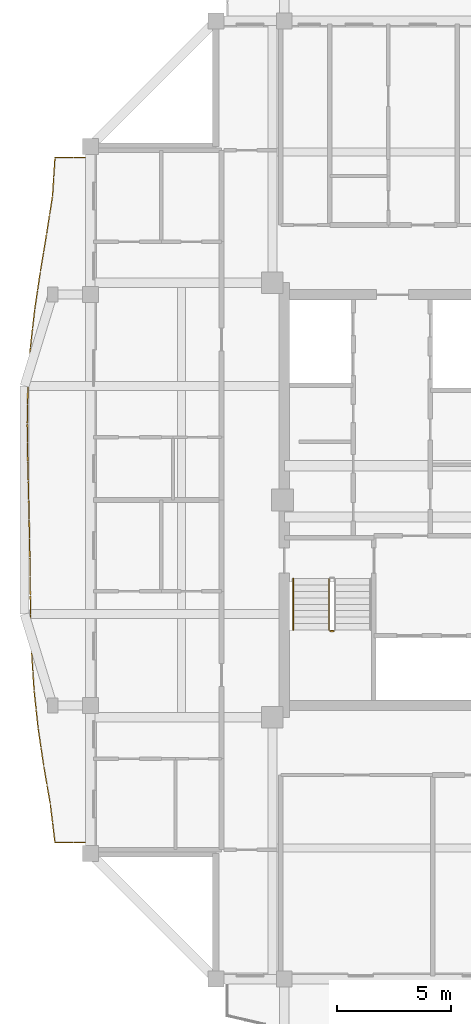
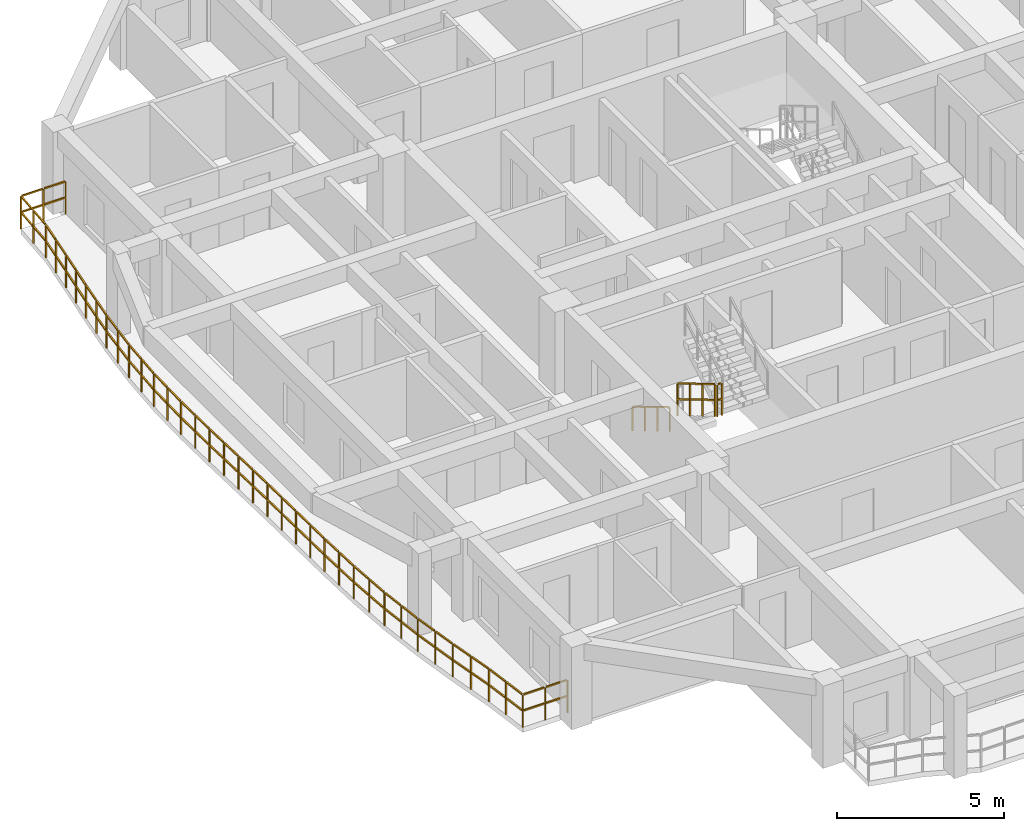
# One storey, part 9 of 12: 4 railings.
"""IFC4 building model written with IfcOpenShell, lengths in metres."""

from ifc_helpers import new_model, si_unit, direction, frame, origin, origin_2d, place, context, subcontext, project, spatial, rectangle, extrude, material, type_object, element, save


model = new_model("IFC4")

# Units and contexts
model_context = context("Model", 3, precision=1e-05, world=origin(), true_north=direction((0.0, 1.0)))
body_context = subcontext(model_context, "Body", "Model", "MODEL_VIEW")
ifc_project = project(units=[si_unit("LENGTHUNIT", "METRE"), si_unit("AREAUNIT", "SQUARE_METRE"), si_unit("VOLUMEUNIT", "CUBIC_METRE"), si_unit("PLANEANGLEUNIT", "RADIAN"), si_unit("MASSUNIT", "GRAM", prefix="KILO")], contexts=[model_context])

# Site, building, storey
site_placement = place(None, origin())
site = spatial("IfcSite", under=ifc_project, at=site_placement, CompositionType="ELEMENT")
building_placement = place(site_placement, origin())
building = spatial("IfcBuilding", under=site, at=building_placement, Name="Saelheon Loggia Tower", CompositionType="ELEMENT")
storey_placement = place(building_placement, frame((0.0, 0.0, 243.0)))
storey = spatial("IfcBuildingStorey", under=building, at=storey_placement, Name="L75", CompositionType="ELEMENT", Elevation=243.0)

# Railings
ifc_material_1 = material(Name="Architectural Precast Concrete and Laminated Glass Guard", Category="concrete")
railing_type_1 = type_object("IfcRailingType", Name="Guard_Loggia_RL_LOG", PredefinedType="BALUSTRADE", material=ifc_material_1)
railing_1_placement = place(storey_placement, frame((23.0, 42.0, 0.0)))
element("IfcRailing", 1, at=railing_1_placement, inside=storey, type_object=railing_type_1, Name="L75 West Loggia Balustrade", PredefinedType="BALUSTRADE", context=body_context, shape_type="SweptSolid", body=[
    extrude(rectangle(XDim=0.048095703125, YDim=0.048095703125, at=origin_2d()), frame((-0.033203125, 0.0, 1.19580078125), z_axis=(-1.0, 0.0, 0.0), x_axis=(0.0, -1.0, 0.0)), (0.0, 0.0, 1.0), 0.70849609375),
    extrude(rectangle(XDim=0.048095703125, YDim=0.048095703125, at=origin_2d()), frame((-0.033203125, 0.0, 0.60986328125), z_axis=(-1.0, 0.0, 0.0), x_axis=(0.0, -1.0, 0.0)), (0.0, 0.0, 1.0), 0.70849609375),
    extrude(rectangle(XDim=0.048095703125, YDim=0.048095703125, at=origin_2d()), frame((-0.808349609375, 0.0, 1.19580078125), z_axis=(-1.0, 0.0, 0.0), x_axis=(0.0, -1.0, 0.0)), (0.0, 0.0, 1.0), 0.70849609375),
    extrude(rectangle(XDim=0.048095703125, YDim=0.048095703125, at=origin_2d()), frame((-0.808349609375, 0.0, 0.60986328125), z_axis=(-1.0, 0.0, 0.0), x_axis=(0.0, -1.0, 0.0)), (0.0, 0.0, 1.0), 0.70849609375),
    extrude(rectangle(XDim=0.048095703125, YDim=0.048095703125, at=origin_2d()), frame((-1.55224609375, -0.033203125, 1.19580078125), z_axis=(-0.062860640859, -0.998022314295, 0.0), x_axis=(0.998022314295, -0.062860640859, 0.0)), (0.0, 0.0, 1.0), 0.7685546875),
    extrude(rectangle(XDim=0.048095703125, YDim=0.048095703125, at=origin_2d()), frame((-1.55224609375, -0.033203125, 0.60986328125), z_axis=(-0.062860640859, -0.998022314295, 0.0), x_axis=(0.998022314295, -0.062860640859, 0.0)), (0.0, 0.0, 1.0), 0.7685546875),
    extrude(rectangle(XDim=0.048095703125, YDim=0.048095703125, at=origin_2d()), frame((-1.604736328125, -0.866455078125, 1.19580078125), z_axis=(-0.062860640859, -0.998022314295, 0.0), x_axis=(0.998022314295, -0.062860640859, 0.0)), (0.0, 0.0, 1.0), 0.7685546875),
    extrude(rectangle(XDim=0.048095703125, YDim=0.048095703125, at=origin_2d()), frame((-1.604736328125, -0.866455078125, 0.60986328125), z_axis=(-0.062860640859, -0.998022314295, 0.0), x_axis=(0.998022314295, -0.062860640859, 0.0)), (0.0, 0.0, 1.0), 0.7685546875),
    extrude(rectangle(XDim=0.048095703125, YDim=0.048095703125, at=origin_2d()), frame((-1.66015625, -1.699462890625, 1.19580078125), z_axis=(-0.155145020329, -0.987891705941, 0.0), x_axis=(0.987891705941, -0.155145020329, 0.0)), (0.0, 0.0, 1.0), 0.777099609375),
    extrude(rectangle(XDim=0.048095703125, YDim=0.048095703125, at=origin_2d()), frame((-1.66015625, -1.699462890625, 0.60986328125), z_axis=(-0.155145020329, -0.987891705941, 0.0), x_axis=(0.987891705941, -0.155145020329, 0.0)), (0.0, 0.0, 1.0), 0.777099609375),
    extrude(rectangle(XDim=0.048095703125, YDim=0.048095703125, at=origin_2d()), frame((-1.791015625, -2.53271484375, 1.19580078125), z_axis=(-0.155145020329, -0.987891705941, 0.0), x_axis=(0.987891705941, -0.155145020329, 0.0)), (0.0, 0.0, 1.0), 0.777099609375),
    extrude(rectangle(XDim=0.048095703125, YDim=0.048095703125, at=origin_2d()), frame((-1.791015625, -2.53271484375, 0.60986328125), z_axis=(-0.155145020329, -0.987891705941, 0.0), x_axis=(0.987891705941, -0.155145020329, 0.0)), (0.0, 0.0, 1.0), 0.777099609375),
    extrude(rectangle(XDim=0.048095703125, YDim=0.048095703125, at=origin_2d()), frame((-1.922119140625, -3.365966796875, 1.19580078125), z_axis=(-0.162875459068, -0.986646636255, 0.0), x_axis=(0.986646636255, -0.162875459068, 0.0)), (0.0, 0.0, 1.0), 0.778076171875),
    extrude(rectangle(XDim=0.048095703125, YDim=0.048095703125, at=origin_2d()), frame((-1.922119140625, -3.365966796875, 0.60986328125), z_axis=(-0.162875459068, -0.986646636255, 0.0), x_axis=(0.986646636255, -0.162875459068, 0.0)), (0.0, 0.0, 1.0), 0.778076171875),
    extrude(rectangle(XDim=0.048095703125, YDim=0.048095703125, at=origin_2d()), frame((-2.059814453125, -4.199462890625, 1.19580078125), z_axis=(-0.162875459068, -0.986646636255, 0.0), x_axis=(0.986646636255, -0.162875459068, 0.0)), (0.0, 0.0, 1.0), 0.778076171875),
    extrude(rectangle(XDim=0.048095703125, YDim=0.048095703125, at=origin_2d()), frame((-2.059814453125, -4.199462890625, 0.60986328125), z_axis=(-0.162875459068, -0.986646636255, 0.0), x_axis=(0.986646636255, -0.162875459068, 0.0)), (0.0, 0.0, 1.0), 0.778076171875),
    extrude(rectangle(XDim=0.048095703125, YDim=0.048095703125, at=origin_2d()), frame((-2.19677734375, -5.032958984375, 1.19580078125), z_axis=(-0.147624907715, -0.989043419988, 0.0), x_axis=(0.989043419988, -0.147624907715, 0.0)), (0.0, 0.0, 1.0), 0.776123046875),
    extrude(rectangle(XDim=0.048095703125, YDim=0.048095703125, at=origin_2d()), frame((-2.19677734375, -5.032958984375, 0.60986328125), z_axis=(-0.147624907715, -0.989043419988, 0.0), x_axis=(0.989043419988, -0.147624907715, 0.0)), (0.0, 0.0, 1.0), 0.776123046875),
    extrude(rectangle(XDim=0.048095703125, YDim=0.048095703125, at=origin_2d()), frame((-2.3212890625, -5.8662109375, 1.19580078125), z_axis=(-0.147624907715, -0.989043419988, 0.0), x_axis=(0.989043419988, -0.147624907715, 0.0)), (0.0, 0.0, 1.0), 0.776123046875),
    extrude(rectangle(XDim=0.048095703125, YDim=0.048095703125, at=origin_2d()), frame((-2.3212890625, -5.8662109375, 0.60986328125), z_axis=(-0.147624907715, -0.989043419988, 0.0), x_axis=(0.989043419988, -0.147624907715, 0.0)), (0.0, 0.0, 1.0), 0.776123046875),
    extrude(rectangle(XDim=0.048095703125, YDim=0.048095703125, at=origin_2d()), frame((-2.4443359375, -6.69970703125, 1.19580078125), z_axis=(-0.111230457734, -0.993794639386, 0.0), x_axis=(0.993794639386, -0.111230457734, 0.0)), (0.0, 0.0, 1.0), 0.77197265625),
    extrude(rectangle(XDim=0.048095703125, YDim=0.048095703125, at=origin_2d()), frame((-2.4443359375, -6.69970703125, 0.60986328125), z_axis=(-0.111230457734, -0.993794639386, 0.0), x_axis=(0.993794639386, -0.111230457734, 0.0)), (0.0, 0.0, 1.0), 0.77197265625),
    extrude(rectangle(XDim=0.048095703125, YDim=0.048095703125, at=origin_2d()), frame((-2.53759765625, -7.532958984375, 1.19580078125), z_axis=(-0.111230457734, -0.993794639386, 0.0), x_axis=(0.993794639386, -0.111230457734, 0.0)), (0.0, 0.0, 1.0), 0.77197265625),
    extrude(rectangle(XDim=0.048095703125, YDim=0.048095703125, at=origin_2d()), frame((-2.53759765625, -7.532958984375, 0.60986328125), z_axis=(-0.111230457734, -0.993794639386, 0.0), x_axis=(0.993794639386, -0.111230457734, 0.0)), (0.0, 0.0, 1.0), 0.77197265625),
    extrude(rectangle(XDim=0.048095703125, YDim=0.048095703125, at=origin_2d()), frame((-2.62939453125, -8.366455078125, 1.19580078125), z_axis=(-0.063151852584, -0.998003929609, 0.0), x_axis=(0.998003929609, -0.063151852584, 0.0)), (0.0, 0.0, 1.0), 0.7685546875),
    extrude(rectangle(XDim=0.048095703125, YDim=0.048095703125, at=origin_2d()), frame((-2.62939453125, -8.366455078125, 0.60986328125), z_axis=(-0.063151852584, -0.998003929609, 0.0), x_axis=(0.998003929609, -0.063151852584, 0.0)), (0.0, 0.0, 1.0), 0.7685546875),
    extrude(rectangle(XDim=0.048095703125, YDim=0.048095703125, at=origin_2d()), frame((-2.68212890625, -9.19970703125, 1.19580078125), z_axis=(-0.063151852584, -0.998003929609, 0.0), x_axis=(0.998003929609, -0.063151852584, 0.0)), (0.0, 0.0, 1.0), 0.7685546875),
    extrude(rectangle(XDim=0.048095703125, YDim=0.048095703125, at=origin_2d()), frame((-2.68212890625, -9.19970703125, 0.60986328125), z_axis=(-0.063151852584, -0.998003929609, 0.0), x_axis=(0.998003929609, -0.063151852584, 0.0)), (0.0, 0.0, 1.0), 0.7685546875),
    extrude(rectangle(XDim=0.048095703125, YDim=0.048095703125, at=origin_2d()), frame((-2.733154296875, -10.033203125, 1.19580078125), z_axis=(-0.017574552025, -0.999845555634, 0.0), x_axis=(0.999845555634, -0.017574552025, 0.0)), (0.0, 0.0, 1.0), 0.76708984375),
    extrude(rectangle(XDim=0.048095703125, YDim=0.048095703125, at=origin_2d()), frame((-2.733154296875, -10.033203125, 0.60986328125), z_axis=(-0.017574552025, -0.999845555634, 0.0), x_axis=(0.999845555634, -0.017574552025, 0.0)), (0.0, 0.0, 1.0), 0.76708984375),
    extrude(rectangle(XDim=0.048095703125, YDim=0.048095703125, at=origin_2d()), frame((-2.747802734375, -10.86669921875, 1.19580078125), z_axis=(-0.017574552025, -0.999845555634, 0.0), x_axis=(0.999845555634, -0.017574552025, 0.0)), (0.0, 0.0, 1.0), 0.76708984375),
    extrude(rectangle(XDim=0.048095703125, YDim=0.048095703125, at=origin_2d()), frame((-2.747802734375, -10.86669921875, 0.60986328125), z_axis=(-0.017574552025, -0.999845555634, 0.0), x_axis=(0.999845555634, -0.017574552025, 0.0)), (0.0, 0.0, 1.0), 0.76708984375),
    extrude(rectangle(XDim=0.048095703125, YDim=0.048095703125, at=origin_2d()), frame((-2.761474609375, -11.699951171875, 1.19580078125), z_axis=(0.013623113053, -0.99990720109, 0.0), x_axis=(0.99990720109, 0.013623113053, 0.0)), (0.0, 0.0, 1.0), 0.766845703125),
    extrude(rectangle(XDim=0.048095703125, YDim=0.048095703125, at=origin_2d()), frame((-2.761474609375, -11.699951171875, 0.60986328125), z_axis=(0.013623113053, -0.99990720109, 0.0), x_axis=(0.99990720109, 0.013623113053, 0.0)), (0.0, 0.0, 1.0), 0.766845703125),
    extrude(rectangle(XDim=0.048095703125, YDim=0.048095703125, at=origin_2d()), frame((-2.750244140625, -12.533203125, 1.19580078125), z_axis=(0.013623113053, -0.99990720109, 0.0), x_axis=(0.99990720109, 0.013623113053, 0.0)), (0.0, 0.0, 1.0), 0.766845703125),
    extrude(rectangle(XDim=0.048095703125, YDim=0.048095703125, at=origin_2d()), frame((-2.750244140625, -12.533203125, 0.60986328125), z_axis=(0.013623113053, -0.99990720109, 0.0), x_axis=(0.99990720109, 0.013623113053, 0.0)), (0.0, 0.0, 1.0), 0.766845703125),
    extrude(rectangle(XDim=0.048095703125, YDim=0.048095703125, at=origin_2d()), frame((-2.738525390625, -13.366455078125, 1.19580078125), z_axis=(0.025186090256, -0.999682780115, 0.0), x_axis=(0.999682780115, 0.025186090256, 0.0)), (0.0, 0.0, 1.0), 0.76708984375),
    extrude(rectangle(XDim=0.048095703125, YDim=0.048095703125, at=origin_2d()), frame((-2.738525390625, -13.366455078125, 0.60986328125), z_axis=(0.025186090256, -0.999682780115, 0.0), x_axis=(0.999682780115, 0.025186090256, 0.0)), (0.0, 0.0, 1.0), 0.76708984375),
    extrude(rectangle(XDim=0.048095703125, YDim=0.048095703125, at=origin_2d()), frame((-2.717529296875, -14.199951171875, 1.19580078125), z_axis=(0.025186090256, -0.999682780115, 0.0), x_axis=(0.999682780115, 0.025186090256, 0.0)), (0.0, 0.0, 1.0), 0.76708984375),
    extrude(rectangle(XDim=0.048095703125, YDim=0.048095703125, at=origin_2d()), frame((-2.717529296875, -14.199951171875, 0.60986328125), z_axis=(0.025186090256, -0.999682780115, 0.0), x_axis=(0.999682780115, 0.025186090256, 0.0)), (0.0, 0.0, 1.0), 0.76708984375),
    extrude(rectangle(XDim=0.048095703125, YDim=0.048095703125, at=origin_2d()), frame((-2.696533203125, -15.033203125, 1.19580078125), z_axis=(0.021088029542, -0.999777622779, 0.0), x_axis=(0.999777622779, 0.021088029542, 0.0)), (0.0, 0.0, 1.0), 0.76708984375),
    extrude(rectangle(XDim=0.048095703125, YDim=0.048095703125, at=origin_2d()), frame((-2.696533203125, -15.033203125, 0.60986328125), z_axis=(0.021088029542, -0.999777622779, 0.0), x_axis=(0.999777622779, 0.021088029542, 0.0)), (0.0, 0.0, 1.0), 0.76708984375),
    extrude(rectangle(XDim=0.048095703125, YDim=0.048095703125, at=origin_2d()), frame((-2.678955078125, -15.86669921875, 1.19580078125), z_axis=(0.021088029542, -0.999777622779, 0.0), x_axis=(0.999777622779, 0.021088029542, 0.0)), (0.0, 0.0, 1.0), 0.76708984375),
    extrude(rectangle(XDim=0.048095703125, YDim=0.048095703125, at=origin_2d()), frame((-2.678955078125, -15.86669921875, 0.60986328125), z_axis=(0.021088029542, -0.999777622779, 0.0), x_axis=(0.999777622779, 0.021088029542, 0.0)), (0.0, 0.0, 1.0), 0.76708984375),
    extrude(rectangle(XDim=0.048095703125, YDim=0.048095703125, at=origin_2d()), frame((-2.66162109375, -16.699951171875, 1.19580078125), z_axis=(0.012744350207, -0.999918787471, 0.0), x_axis=(0.999918787471, 0.012744350207, 0.0)), (0.0, 0.0, 1.0), 0.766845703125),
    extrude(rectangle(XDim=0.048095703125, YDim=0.048095703125, at=origin_2d()), frame((-2.66162109375, -16.699951171875, 0.60986328125), z_axis=(0.012744350207, -0.999918787471, 0.0), x_axis=(0.999918787471, 0.012744350207, 0.0)), (0.0, 0.0, 1.0), 0.766845703125),
    extrude(rectangle(XDim=0.048095703125, YDim=0.048095703125, at=origin_2d()), frame((-2.651123046875, -17.533203125, 1.19580078125), z_axis=(0.012744350207, -0.999918787471, 0.0), x_axis=(0.999918787471, 0.012744350207, 0.0)), (0.0, 0.0, 1.0), 0.766845703125),
    extrude(rectangle(XDim=0.048095703125, YDim=0.048095703125, at=origin_2d()), frame((-2.651123046875, -17.533203125, 0.60986328125), z_axis=(0.012744350207, -0.999918787471, 0.0), x_axis=(0.999918787471, 0.012744350207, 0.0)), (0.0, 0.0, 1.0), 0.766845703125),
    extrude(rectangle(XDim=0.048095703125, YDim=0.048095703125, at=origin_2d()), frame((-2.640380859375, -18.366455078125, 1.19580078125), z_axis=(0.012156711099, -0.999926104457, 0.0), x_axis=(0.999926104457, 0.012156711099, 0.0)), (0.0, 0.0, 1.0), 0.766845703125),
    extrude(rectangle(XDim=0.048095703125, YDim=0.048095703125, at=origin_2d()), frame((-2.640380859375, -18.366455078125, 0.60986328125), z_axis=(0.012156711099, -0.999926104457, 0.0), x_axis=(0.999926104457, 0.012156711099, 0.0)), (0.0, 0.0, 1.0), 0.766845703125),
    extrude(rectangle(XDim=0.048095703125, YDim=0.048095703125, at=origin_2d()), frame((-2.63037109375, -19.199951171875, 1.19580078125), z_axis=(0.012156711099, -0.999926104457, 0.0), x_axis=(0.999926104457, 0.012156711099, 0.0)), (0.0, 0.0, 1.0), 0.766845703125),
    extrude(rectangle(XDim=0.048095703125, YDim=0.048095703125, at=origin_2d()), frame((-2.63037109375, -19.199951171875, 0.60986328125), z_axis=(0.012156711099, -0.999926104457, 0.0), x_axis=(0.999926104457, 0.012156711099, 0.0)), (0.0, 0.0, 1.0), 0.766845703125),
    extrude(rectangle(XDim=0.048095703125, YDim=0.048095703125, at=origin_2d()), frame((-2.61962890625, -20.033203125, 1.19580078125), z_axis=(0.028844006627, -0.999583925082, 0.0), x_axis=(0.999583925082, 0.028844006627, 0.0)), (0.0, 0.0, 1.0), 0.767333984375),
    extrude(rectangle(XDim=0.048095703125, YDim=0.048095703125, at=origin_2d()), frame((-2.61962890625, -20.033203125, 0.60986328125), z_axis=(0.028844006627, -0.999583925082, 0.0), x_axis=(0.999583925082, 0.028844006627, 0.0)), (0.0, 0.0, 1.0), 0.767333984375),
    extrude(rectangle(XDim=0.048095703125, YDim=0.048095703125, at=origin_2d()), frame((-2.595703125, -20.86669921875, 1.19580078125), z_axis=(0.028844006627, -0.999583925082, 0.0), x_axis=(0.999583925082, 0.028844006627, 0.0)), (0.0, 0.0, 1.0), 0.767333984375),
    extrude(rectangle(XDim=0.048095703125, YDim=0.048095703125, at=origin_2d()), frame((-2.595703125, -20.86669921875, 0.60986328125), z_axis=(0.028844006627, -0.999583925082, 0.0), x_axis=(0.999583925082, 0.028844006627, 0.0)), (0.0, 0.0, 1.0), 0.767333984375),
    extrude(rectangle(XDim=0.048095703125, YDim=0.048095703125, at=origin_2d()), frame((-2.5703125, -21.699951171875, 1.19580078125), z_axis=(0.063161067342, -0.998003346473, 0.0), x_axis=(0.998003346473, 0.063161067342, 0.0)), (0.0, 0.0, 1.0), 0.7685546875),
    extrude(rectangle(XDim=0.048095703125, YDim=0.048095703125, at=origin_2d()), frame((-2.5703125, -21.699951171875, 0.60986328125), z_axis=(0.063161067342, -0.998003346473, 0.0), x_axis=(0.998003346473, 0.063161067342, 0.0)), (0.0, 0.0, 1.0), 0.7685546875),
    extrude(rectangle(XDim=0.048095703125, YDim=0.048095703125, at=origin_2d()), frame((-2.517578125, -22.533203125, 1.19580078125), z_axis=(0.063161067342, -0.998003346473, 0.0), x_axis=(0.998003346473, 0.063161067342, 0.0)), (0.0, 0.0, 1.0), 0.7685546875),
    extrude(rectangle(XDim=0.048095703125, YDim=0.048095703125, at=origin_2d()), frame((-2.517578125, -22.533203125, 0.60986328125), z_axis=(0.063161067342, -0.998003346473, 0.0), x_axis=(0.998003346473, 0.063161067342, 0.0)), (0.0, 0.0, 1.0), 0.7685546875),
    extrude(rectangle(XDim=0.048095703125, YDim=0.048095703125, at=origin_2d()), frame((-2.46337890625, -23.3662109375, 1.19580078125), z_axis=(0.106754244284, -0.994285437552, 0.0), x_axis=(0.994285437552, 0.106754244284, 0.0)), (0.0, 0.0, 1.0), 0.771728515625),
    extrude(rectangle(XDim=0.048095703125, YDim=0.048095703125, at=origin_2d()), frame((-2.46337890625, -23.3662109375, 0.60986328125), z_axis=(0.106754244284, -0.994285437552, 0.0), x_axis=(0.994285437552, 0.106754244284, 0.0)), (0.0, 0.0, 1.0), 0.771728515625),
    extrude(rectangle(XDim=0.048095703125, YDim=0.048095703125, at=origin_2d()), frame((-2.3740234375, -24.19970703125, 1.19580078125), z_axis=(0.106754244284, -0.994285437552, 0.0), x_axis=(0.994285437552, 0.106754244284, 0.0)), (0.0, 0.0, 1.0), 0.771728515625),
    extrude(rectangle(XDim=0.048095703125, YDim=0.048095703125, at=origin_2d()), frame((-2.3740234375, -24.19970703125, 0.60986328125), z_axis=(0.106754244284, -0.994285437552, 0.0), x_axis=(0.994285437552, 0.106754244284, 0.0)), (0.0, 0.0, 1.0), 0.771728515625),
    extrude(rectangle(XDim=0.048095703125, YDim=0.048095703125, at=origin_2d()), frame((-2.283203125, -25.032958984375, 1.19580078125), z_axis=(0.146632679604, -0.98919101152, 0.0), x_axis=(0.98919101152, 0.146632679604, 0.0)), (0.0, 0.0, 1.0), 0.776123046875),
    extrude(rectangle(XDim=0.048095703125, YDim=0.048095703125, at=origin_2d()), frame((-2.283203125, -25.032958984375, 0.60986328125), z_axis=(0.146632679604, -0.98919101152, 0.0), x_axis=(0.98919101152, 0.146632679604, 0.0)), (0.0, 0.0, 1.0), 0.776123046875),
    extrude(rectangle(XDim=0.048095703125, YDim=0.048095703125, at=origin_2d()), frame((-2.15966796875, -25.8662109375, 1.19580078125), z_axis=(0.146632679604, -0.98919101152, 0.0), x_axis=(0.98919101152, 0.146632679604, 0.0)), (0.0, 0.0, 1.0), 0.776123046875),
    extrude(rectangle(XDim=0.048095703125, YDim=0.048095703125, at=origin_2d()), frame((-2.15966796875, -25.8662109375, 0.60986328125), z_axis=(0.146632679604, -0.98919101152, 0.0), x_axis=(0.98919101152, 0.146632679604, 0.0)), (0.0, 0.0, 1.0), 0.776123046875),
    extrude(rectangle(XDim=0.048095703125, YDim=0.048095703125, at=origin_2d()), frame((-2.035400390625, -26.699462890625, 1.19580078125), z_axis=(0.170061614691, -0.98543343114, 0.0), x_axis=(0.98543343114, 0.170061614691, 0.0)), (0.0, 0.0, 1.0), 0.779052734375),
    extrude(rectangle(XDim=0.048095703125, YDim=0.048095703125, at=origin_2d()), frame((-2.035400390625, -26.699462890625, 0.60986328125), z_axis=(0.170061614691, -0.98543343114, 0.0), x_axis=(0.98543343114, 0.170061614691, 0.0)), (0.0, 0.0, 1.0), 0.779052734375),
    extrude(rectangle(XDim=0.048095703125, YDim=0.048095703125, at=origin_2d()), frame((-1.8916015625, -27.53271484375, 1.19580078125), z_axis=(0.170061614691, -0.98543343114, 0.0), x_axis=(0.98543343114, 0.170061614691, 0.0)), (0.0, 0.0, 1.0), 0.779052734375),
    extrude(rectangle(XDim=0.048095703125, YDim=0.048095703125, at=origin_2d()), frame((-1.8916015625, -27.53271484375, 0.60986328125), z_axis=(0.170061614691, -0.98543343114, 0.0), x_axis=(0.98543343114, 0.170061614691, 0.0)), (0.0, 0.0, 1.0), 0.779052734375),
    extrude(rectangle(XDim=0.048095703125, YDim=0.048095703125, at=origin_2d()), frame((-1.74951171875, -28.3662109375, 1.19580078125), z_axis=(0.121117273297, -0.992638205042, 0.0), x_axis=(0.992638205042, 0.121117273297, 0.0)), (0.0, 0.0, 1.0), 0.773193359375),
    extrude(rectangle(XDim=0.048095703125, YDim=0.048095703125, at=origin_2d()), frame((-1.74951171875, -28.3662109375, 0.60986328125), z_axis=(0.121117273297, -0.992638205042, 0.0), x_axis=(0.992638205042, 0.121117273297, 0.0)), (0.0, 0.0, 1.0), 0.773193359375),
    extrude(rectangle(XDim=0.048095703125, YDim=0.048095703125, at=origin_2d()), frame((-1.647705078125, -29.19970703125, 1.19580078125), z_axis=(0.121117273297, -0.992638205042, 0.0), x_axis=(0.992638205042, 0.121117273297, 0.0)), (0.0, 0.0, 1.0), 0.773193359375),
    extrude(rectangle(XDim=0.048095703125, YDim=0.048095703125, at=origin_2d()), frame((-1.647705078125, -29.19970703125, 0.60986328125), z_axis=(0.121117273297, -0.992638205042, 0.0), x_axis=(0.992638205042, 0.121117273297, 0.0)), (0.0, 0.0, 1.0), 0.773193359375),
    extrude(rectangle(XDim=0.048095703125, YDim=0.048095703125, at=origin_2d()), frame((-1.516845703125, -30.0, 1.19580078125), z_axis=(1.0, 0.0, 0.0), x_axis=(0.0, 1.0, 0.0)), (0.0, 0.0, 1.0), 0.70849609375),
    extrude(rectangle(XDim=0.048095703125, YDim=0.048095703125, at=origin_2d()), frame((-1.516845703125, -30.0, 0.60986328125), z_axis=(1.0, 0.0, 0.0), x_axis=(0.0, 1.0, 0.0)), (0.0, 0.0, 1.0), 0.70849609375),
    extrude(rectangle(XDim=0.048095703125, YDim=0.048095703125, at=origin_2d()), frame((-0.74169921875, -30.0, 1.19580078125), z_axis=(1.0, 0.0, 0.0), x_axis=(0.0, 1.0, 0.0)), (0.0, 0.0, 1.0), 0.70849609375),
    extrude(rectangle(XDim=0.048095703125, YDim=0.048095703125, at=origin_2d()), frame((-0.74169921875, -30.0, 0.60986328125), z_axis=(1.0, 0.0, 0.0), x_axis=(0.0, 1.0, 0.0)), (0.0, 0.0, 1.0), 0.70849609375),
    extrude(rectangle(XDim=0.0419921875, YDim=0.0419921875, at=origin_2d()), origin(), (0.0, 0.0, 1.0), 1.16796875),
    extrude(rectangle(XDim=0.0419921875, YDim=0.0419921875, at=origin_2d()), frame((-0.77490234375, 0.0, 0.0)), (0.0, 0.0, 1.0), 1.16796875),
    extrude(rectangle(XDim=0.0419921875, YDim=0.0419921875, at=origin_2d()), frame((-1.550048828125, 0.0, 0.0)), (0.0, 0.0, 1.0), 1.16796875),
    extrude(rectangle(XDim=0.0419921875, YDim=0.0419921875, at=origin_2d()), frame((-1.6025390625, -0.83349609375, 0.0)), (0.0, 0.0, 1.0), 1.16796875),
    extrude(rectangle(XDim=0.0419921875, YDim=0.0419921875, at=origin_2d()), frame((-1.655029296875, -1.666748046875, 0.0)), (0.0, 0.0, 1.0), 1.16796875),
    extrude(rectangle(XDim=0.0419921875, YDim=0.0419921875, at=origin_2d()), frame((-1.785888671875, -2.5, 0.0)), (0.0, 0.0, 1.0), 1.16796875),
    extrude(rectangle(XDim=0.0419921875, YDim=0.0419921875, at=origin_2d()), frame((-1.916748046875, -3.333251953125, 0.0)), (0.0, 0.0, 1.0), 1.16796875),
    extrude(rectangle(XDim=0.0419921875, YDim=0.0419921875, at=origin_2d()), frame((-2.05419921875, -4.16650390625, 0.0)), (0.0, 0.0, 1.0), 1.16796875),
    extrude(rectangle(XDim=0.0419921875, YDim=0.0419921875, at=origin_2d()), frame((-2.19189453125, -5.0, 0.0)), (0.0, 0.0, 1.0), 1.16796875),
    extrude(rectangle(XDim=0.0419921875, YDim=0.0419921875, at=origin_2d()), frame((-2.31640625, -5.83349609375, 0.0)), (0.0, 0.0, 1.0), 1.16796875),
    extrude(rectangle(XDim=0.0419921875, YDim=0.0419921875, at=origin_2d()), frame((-2.440673828125, -6.666748046875, 0.0)), (0.0, 0.0, 1.0), 1.16796875),
    extrude(rectangle(XDim=0.0419921875, YDim=0.0419921875, at=origin_2d()), frame((-2.533935546875, -7.5, 0.0)), (0.0, 0.0, 1.0), 1.16796875),
    extrude(rectangle(XDim=0.0419921875, YDim=0.0419921875, at=origin_2d()), frame((-2.627197265625, -8.333251953125, 0.0)), (0.0, 0.0, 1.0), 1.16796875),
    extrude(rectangle(XDim=0.0419921875, YDim=0.0419921875, at=origin_2d()), frame((-2.679931640625, -9.16650390625, 0.0)), (0.0, 0.0, 1.0), 1.16796875),
    extrude(rectangle(XDim=0.0419921875, YDim=0.0419921875, at=origin_2d()), frame((-2.732666015625, -10.0, 0.0)), (0.0, 0.0, 1.0), 1.16796875),
    extrude(rectangle(XDim=0.0419921875, YDim=0.0419921875, at=origin_2d()), frame((-2.747314453125, -10.83349609375, 0.0)), (0.0, 0.0, 1.0), 1.16796875),
    extrude(rectangle(XDim=0.0419921875, YDim=0.0419921875, at=origin_2d()), frame((-2.761962890625, -11.666748046875, 0.0)), (0.0, 0.0, 1.0), 1.16796875),
    extrude(rectangle(XDim=0.0419921875, YDim=0.0419921875, at=origin_2d()), frame((-2.75048828125, -12.5, 0.0)), (0.0, 0.0, 1.0), 1.16796875),
    extrude(rectangle(XDim=0.0419921875, YDim=0.0419921875, at=origin_2d()), frame((-2.7392578125, -13.333251953125, 0.0)), (0.0, 0.0, 1.0), 1.16796875),
    extrude(rectangle(XDim=0.0419921875, YDim=0.0419921875, at=origin_2d()), frame((-2.71826171875, -14.16650390625, 0.0)), (0.0, 0.0, 1.0), 1.16796875),
    extrude(rectangle(XDim=0.0419921875, YDim=0.0419921875, at=origin_2d()), frame((-2.697265625, -15.0, 0.0)), (0.0, 0.0, 1.0), 1.16796875),
    extrude(rectangle(XDim=0.0419921875, YDim=0.0419921875, at=origin_2d()), frame((-2.6796875, -15.83349609375, 0.0)), (0.0, 0.0, 1.0), 1.16796875),
    extrude(rectangle(XDim=0.0419921875, YDim=0.0419921875, at=origin_2d()), frame((-2.662109375, -16.666748046875, 0.0)), (0.0, 0.0, 1.0), 1.16796875),
    extrude(rectangle(XDim=0.0419921875, YDim=0.0419921875, at=origin_2d()), frame((-2.6513671875, -17.5, 0.0)), (0.0, 0.0, 1.0), 1.16796875),
    extrude(rectangle(XDim=0.0419921875, YDim=0.0419921875, at=origin_2d()), frame((-2.640869140625, -18.333251953125, 0.0)), (0.0, 0.0, 1.0), 1.16796875),
    extrude(rectangle(XDim=0.0419921875, YDim=0.0419921875, at=origin_2d()), frame((-2.630859375, -19.16650390625, 0.0)), (0.0, 0.0, 1.0), 1.16796875),
    extrude(rectangle(XDim=0.0419921875, YDim=0.0419921875, at=origin_2d()), frame((-2.62060546875, -20.0, 0.0)), (0.0, 0.0, 1.0), 1.16796875),
    extrude(rectangle(XDim=0.0419921875, YDim=0.0419921875, at=origin_2d()), frame((-2.5966796875, -20.83349609375, 0.0)), (0.0, 0.0, 1.0), 1.16796875),
    extrude(rectangle(XDim=0.0419921875, YDim=0.0419921875, at=origin_2d()), frame((-2.572509765625, -21.666748046875, 0.0)), (0.0, 0.0, 1.0), 1.16796875),
    extrude(rectangle(XDim=0.0419921875, YDim=0.0419921875, at=origin_2d()), frame((-2.519775390625, -22.5, 0.0)), (0.0, 0.0, 1.0), 1.16796875),
    extrude(rectangle(XDim=0.0419921875, YDim=0.0419921875, at=origin_2d()), frame((-2.467041015625, -23.333251953125, 0.0)), (0.0, 0.0, 1.0), 1.16796875),
    extrude(rectangle(XDim=0.0419921875, YDim=0.0419921875, at=origin_2d()), frame((-2.37744140625, -24.16650390625, 0.0)), (0.0, 0.0, 1.0), 1.16796875),
    extrude(rectangle(XDim=0.0419921875, YDim=0.0419921875, at=origin_2d()), frame((-2.2880859375, -25.0, 0.0)), (0.0, 0.0, 1.0), 1.16796875),
    extrude(rectangle(XDim=0.0419921875, YDim=0.0419921875, at=origin_2d()), frame((-2.16455078125, -25.83349609375, 0.0)), (0.0, 0.0, 1.0), 1.16796875),
    extrude(rectangle(XDim=0.0419921875, YDim=0.0419921875, at=origin_2d()), frame((-2.041015625, -26.666748046875, 0.0)), (0.0, 0.0, 1.0), 1.16796875),
    extrude(rectangle(XDim=0.0419921875, YDim=0.0419921875, at=origin_2d()), frame((-1.897216796875, -27.5, 0.0)), (0.0, 0.0, 1.0), 1.16796875),
    extrude(rectangle(XDim=0.0419921875, YDim=0.0419921875, at=origin_2d()), frame((-1.75341796875, -28.333251953125, 0.0)), (0.0, 0.0, 1.0), 1.16796875),
    extrude(rectangle(XDim=0.0419921875, YDim=0.0419921875, at=origin_2d()), frame((-1.65185546875, -29.16650390625, 0.0)), (0.0, 0.0, 1.0), 1.16796875),
    extrude(rectangle(XDim=0.0419921875, YDim=0.0419921875, at=origin_2d()), frame((-1.550048828125, -30.0, 0.0)), (0.0, 0.0, 1.0), 1.16796875),
    extrude(rectangle(XDim=0.0419921875, YDim=0.0419921875, at=origin_2d()), frame((-0.77490234375, -30.0, 0.0)), (0.0, 0.0, 1.0), 1.16796875),
    extrude(rectangle(XDim=0.0419921875, YDim=0.0419921875, at=origin_2d()), frame((0.0, -30.0, 0.0)), (0.0, 0.0, 1.0), 1.16796875),
])
ifc_material_2 = material(Name="Galvanised Steel S275 Stairwell Guardrail", Category="steel")
railing_type_2 = type_object("IfcRailingType", Name="Guard_StairWell_RL_STG", PredefinedType="GUARDRAIL", material=ifc_material_2)
railing_2_placement = place(storey_placement, frame((33.4599609375, 23.550048828125, 0.166748046875)))
element("IfcRailing", 2, at=railing_2_placement, inside=storey, type_object=railing_type_2, Name="L75 ST1 stair guard 1", PredefinedType="GUARDRAIL", context=body_context, shape_type="SweptSolid", body=[
    extrude(rectangle(XDim=0.048095703125, YDim=0.048095703125, at=origin_2d()), frame((0.0, -0.028564453125, 1.19287109375), z_axis=(0.0, -0.859305625298, 0.511462454469), x_axis=(1.0, 0.0, 0.0)), (0.0, 0.0, 1.0), 0.802490234375),
    extrude(rectangle(XDim=0.048095703125, YDim=0.048095703125, at=origin_2d()), frame((0.0, -0.028564453125, 0.616943359375), z_axis=(0.0, -0.859305625298, 0.511462454469), x_axis=(1.0, 0.0, 0.0)), (0.0, 0.0, 1.0), 0.802490234375),
    extrude(rectangle(XDim=0.048095703125, YDim=0.048095703125, at=origin_2d()), frame((0.0, -0.775146484375, 1.63720703125), z_axis=(0.0, -0.859305625298, 0.511462454469), x_axis=(1.0, 0.0, 0.0)), (0.0, 0.0, 1.0), 0.802490234375),
    extrude(rectangle(XDim=0.048095703125, YDim=0.048095703125, at=origin_2d()), frame((0.0, -0.775146484375, 1.061279296875), z_axis=(0.0, -0.859305625298, 0.511462454469), x_axis=(1.0, 0.0, 0.0)), (0.0, 0.0, 1.0), 0.802490234375),
    extrude(rectangle(XDim=0.048095703125, YDim=0.048095703125, at=origin_2d()), frame((0.0, -1.52197265625, 2.081787109375), z_axis=(0.0, -0.859305625298, 0.511462454469), x_axis=(1.0, 0.0, 0.0)), (0.0, 0.0, 1.0), 0.802490234375),
    extrude(rectangle(XDim=0.048095703125, YDim=0.048095703125, at=origin_2d()), frame((0.0, -1.52197265625, 1.505859375), z_axis=(0.0, -0.859305625298, 0.511462454469), x_axis=(1.0, 0.0, 0.0)), (0.0, 0.0, 1.0), 0.802490234375),
    extrude(rectangle(XDim=0.0419921875, YDim=0.0419921875, at=origin_2d()), origin(), (0.0, 0.0, 1.0), 1.14794921875),
    extrude(rectangle(XDim=0.0419921875, YDim=0.0419921875, at=origin_2d()), frame((0.0, -0.74658203125, 0.4443359375)), (0.0, 0.0, 1.0), 1.14794921875),
    extrude(rectangle(XDim=0.0419921875, YDim=0.0419921875, at=origin_2d()), frame((0.0, -1.493408203125, 0.888916015625)), (0.0, 0.0, 1.0), 1.14794921875),
    extrude(rectangle(XDim=0.0419921875, YDim=0.0419921875, at=origin_2d()), frame((0.0, -2.239990234375, 1.333251953125)), (0.0, 0.0, 1.0), 1.14794921875),
])
railing_3_placement = place(storey_placement, frame((33.510009765625, 21.260009765625, 1.5)))
element("IfcRailing", 3, at=railing_3_placement, inside=storey, type_object=railing_type_2, Name="L75 ST1 stair guard 2", PredefinedType="GUARDRAIL", context=body_context, shape_type="SweptSolid", body=[
    extrude(rectangle(XDim=0.048095703125, YDim=0.048095703125, at=origin_2d()), frame((0.033203125, 0.0, 1.17578125), z_axis=(1.0, 0.0, 0.0), x_axis=(0.0, 1.0, 0.0)), (0.0, 0.0, 1.0), 0.093505859375),
    extrude(rectangle(XDim=0.048095703125, YDim=0.048095703125, at=origin_2d()), frame((0.033203125, 0.0, 0.60009765625), z_axis=(1.0, 0.0, 0.0), x_axis=(0.0, 1.0, 0.0)), (0.0, 0.0, 1.0), 0.093505859375),
    extrude(rectangle(XDim=0.0419921875, YDim=0.0419921875, at=origin_2d()), origin(), (0.0, 0.0, 1.0), 1.14794921875),
    extrude(rectangle(XDim=0.0419921875, YDim=0.0419921875, at=origin_2d()), frame((0.159912109375, 0.0, 0.0)), (0.0, 0.0, 1.0), 1.14794921875),
])
ifc_material_3 = material(Name="Stainless Steel 304 Tubular Handrail", Category="steel")
railing_type_3 = type_object("IfcRailingType", Name="Handrail_Stair_RL_HR1", PredefinedType="HANDRAIL", material=ifc_material_3)
railing_4_placement = place(storey_placement, frame((31.89990234375, 23.550048828125, 0.166748046875)))
element("IfcRailing", 4, at=railing_4_placement, inside=storey, type_object=railing_type_3, Name="L75 ST1 stair handrail 1", PredefinedType="HANDRAIL", context=body_context, shape_type="SweptSolid", body=[
    extrude(rectangle(XDim=0.048095703125, YDim=0.048095703125, at=origin_2d()), frame((0.0, -0.028564453125, 0.892822265625), z_axis=(0.0, -0.859305625298, 0.511462454469), x_axis=(1.0, 0.0, 0.0)), (0.0, 0.0, 1.0), 0.802490234375),
    extrude(rectangle(XDim=0.048095703125, YDim=0.048095703125, at=origin_2d()), frame((0.0, -0.775146484375, 1.337158203125), z_axis=(0.0, -0.859305625298, 0.511462454469), x_axis=(1.0, 0.0, 0.0)), (0.0, 0.0, 1.0), 0.802490234375),
    extrude(rectangle(XDim=0.048095703125, YDim=0.048095703125, at=origin_2d()), frame((0.0, -1.52197265625, 1.78173828125), z_axis=(0.0, -0.859305625298, 0.511462454469), x_axis=(1.0, 0.0, 0.0)), (0.0, 0.0, 1.0), 0.802490234375),
    extrude(rectangle(XDim=0.0419921875, YDim=0.0419921875, at=origin_2d()), origin(), (0.0, 0.0, 1.0), 0.847900390625),
    extrude(rectangle(XDim=0.0419921875, YDim=0.0419921875, at=origin_2d()), frame((0.0, -0.74658203125, 0.4443359375)), (0.0, 0.0, 1.0), 0.847900390625),
    extrude(rectangle(XDim=0.0419921875, YDim=0.0419921875, at=origin_2d()), frame((0.0, -1.493408203125, 0.888916015625)), (0.0, 0.0, 1.0), 0.847900390625),
    extrude(rectangle(XDim=0.0419921875, YDim=0.0419921875, at=origin_2d()), frame((0.0, -2.239990234375, 1.333251953125)), (0.0, 0.0, 1.0), 0.847900390625),
])

save(model, "model.ifc")
